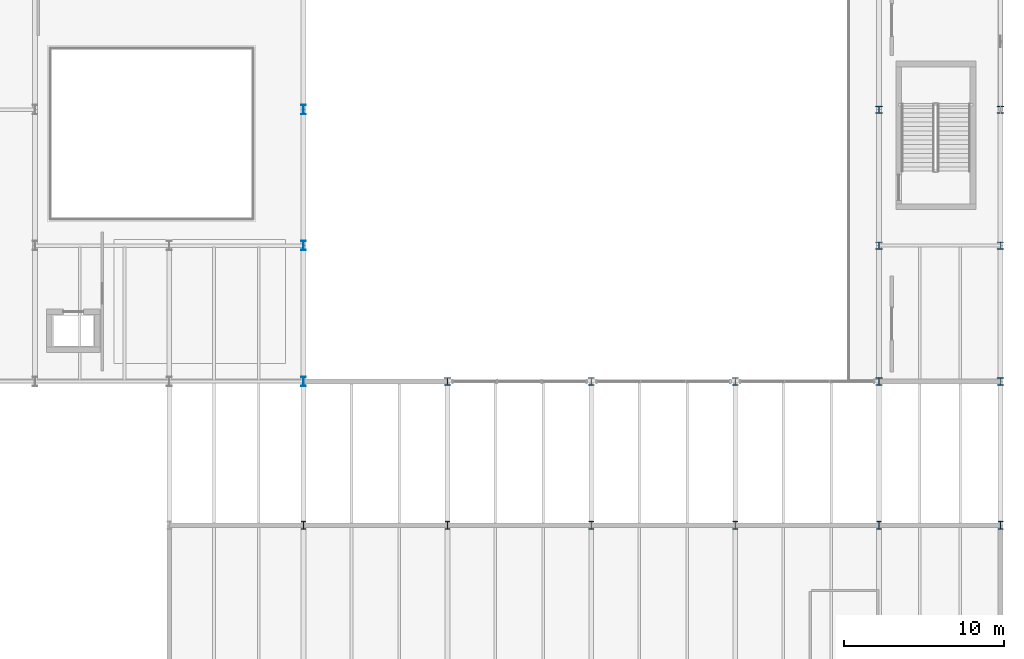
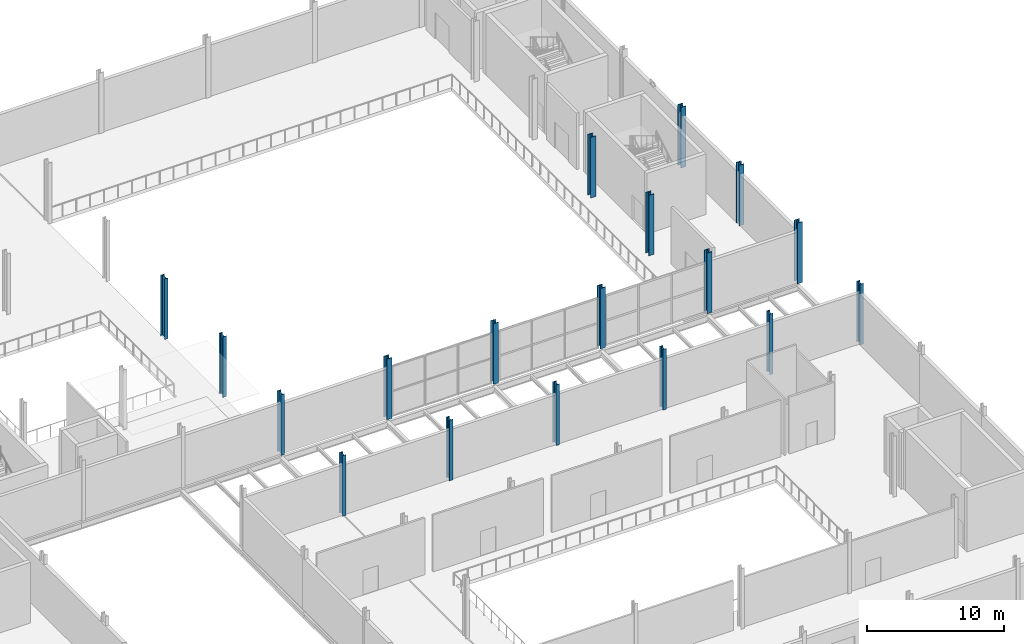
# One storey, part 14 of 78: 18 columns.
"""IFC4 building model written with IfcOpenShell, lengths in metres."""

from ifc_helpers import new_model, si_unit, direction, frame, origin, origin_2d, place, context, subcontext, project, spatial, i_section, extrude, material, material_profile, profile_set, type_object, element, save


model = new_model("IFC4")

# Units and contexts
model_context = context("Model", 3, precision=1e-05, world=origin(), true_north=direction((0.0, 1.0)))
body_context = subcontext(model_context, "Body", "Model", "MODEL_VIEW")
ifc_project = project(units=[si_unit("LENGTHUNIT", "METRE"), si_unit("AREAUNIT", "SQUARE_METRE"), si_unit("VOLUMEUNIT", "CUBIC_METRE"), si_unit("PLANEANGLEUNIT", "RADIAN"), si_unit("MASSUNIT", "GRAM", prefix="KILO")], contexts=[model_context])

# Site, building, storey
site_placement = place(None, origin())
site = spatial("IfcSite", under=ifc_project, at=site_placement, CompositionType="ELEMENT")
building_placement = place(site_placement, origin())
building = spatial("IfcBuilding", under=site, at=building_placement, Name="Sefraquen Railside Congress Hotel", CompositionType="ELEMENT")
storey_placement = place(building_placement, frame((0.0, 0.0, 6.0)))
storey = spatial("IfcBuildingStorey", under=building, at=storey_placement, Name="L01", CompositionType="ELEMENT", Elevation=6.0)

# Columns
ifc_material_1 = material(Name="Steel S355J2", Category="steel")
ifc_material_profile_1 = material_profile(ifc_material_1, i_section(OverallWidth=0.424072265625, OverallDepth=0.47412109375, WebThickness=0.044921875, FlangeThickness=0.054931640625, FilletRadius=0.014892578125, at=origin_2d()), Name="HD 400x634")
ifc_profile_set_1 = profile_set([ifc_material_profile_1], Name="Steel S355J2")
column_type_1 = type_object("IfcColumnType", Name="TC-HD-634", PredefinedType="COLUMN", material=ifc_profile_set_1)
for number, where, z_axis, x_axis, name in (
    (1, (164.39990234375, 54.0, 0.0), (0.0, 0.0, 1.0), (1.0, 0.0, 0.0), "Structural column 21-G L01"),
    (2, (164.39990234375, 62.5, 0.0), (0.0, 0.0, 1.0), (1.0, 0.0, 0.0), "Structural column 21-H L01"),
    (3, (164.39990234375, 71.0, 0.0), (0.0, 0.0, 1.0), (1.0, 0.0, 0.0), "Structural column 21-J L01"),
    (4, (172.0, 54.0, 0.0), (0.0, 0.0, 1.0), (1.0, 0.0, 0.0), "Structural column 22-G L01"),
    (5, (172.0, 62.5, 0.0), (0.0, 0.0, 1.0), (1.0, 0.0, 0.0), "Structural column 22-H L01"),
    (6, (172.0, 71.0, 0.0), (0.0, 0.0, 1.0), (1.0, 0.0, 0.0), "Structural column 22-J L01"),
    (7, (137.39990234375, 54.0, 0.0), (0.0, 0.0, 1.0), (1.0, 0.0, 0.0), "Structural column 18-G L01"),
    (8, (146.39990234375, 54.0, 0.0), (0.0, 0.0, 1.0), (1.0, 0.0, 0.0), "Structural column 19-G L01"),
    (9, (155.39990234375, 54.0, 0.0), (0.0, 0.0, 1.0), (1.0, 0.0, 0.0), "Structural column 20-G L01"),
):
    element("IfcColumn", number, at=place(storey_placement, frame(where, z_axis=z_axis, x_axis=x_axis)), inside=storey, type_object=column_type_1, Name=name, PredefinedType="COLUMN", context=body_context, shape_type="SweptSolid", body=[
        extrude(i_section(OverallWidth=0.424072265625, OverallDepth=0.47412109375, WebThickness=0.044921875, FlangeThickness=0.054931640625, FilletRadius=0.014892578125, at=origin_2d()), origin(), (0.0, 0.0, 1.0), 5.39990234375),
    ])
ifc_material_2 = material(Name="Steel S355JR", Category="steel")
ifc_material_profile_2 = material_profile(ifc_material_2, i_section(OverallWidth=0.300048828125, OverallDepth=0.5, WebThickness=0.014404296875, FlangeThickness=0.028076171875, FilletRadius=0.027099609375, at=origin_2d()), Name="HEB 500")
ifc_profile_set_2 = profile_set([ifc_material_profile_2], Name="Steel S355JR")
column_type_2 = type_object("IfcColumnType", Name="TC-HEB-500", PredefinedType="COLUMN", material=ifc_profile_set_2)
for number, where, z_axis, x_axis, name in (
    (10, (128.39990234375, 45.0, 0.0), (0.0, 0.0, 1.0), (1.0, 0.0, 0.0), "Structural column 17-F L01"),
    (11, (137.39990234375, 45.0, 0.0), (0.0, 0.0, 1.0), (1.0, 0.0, 0.0), "Structural column 18-F L01"),
    (12, (146.39990234375, 45.0, 0.0), (0.0, 0.0, 1.0), (1.0, 0.0, 0.0), "Structural column 19-F L01"),
    (13, (155.39990234375, 45.0, 0.0), (0.0, 0.0, 1.0), (1.0, 0.0, 0.0), "Structural column 20-F L01"),
    (14, (164.39990234375, 45.0, 0.0), (0.0, 0.0, 1.0), (1.0, 0.0, 0.0), "Structural column 21-F L01"),
    (15, (172.0, 45.0, 0.0), (0.0, 0.0, 1.0), (1.0, 0.0, 0.0), "Structural column 22-F L01"),
):
    element("IfcColumn", number, at=place(storey_placement, frame(where, z_axis=z_axis, x_axis=x_axis)), inside=storey, type_object=column_type_2, Name=name, PredefinedType="COLUMN", context=body_context, shape_type="SweptSolid", body=[
        extrude(i_section(OverallWidth=0.300048828125, OverallDepth=0.5, WebThickness=0.014404296875, FlangeThickness=0.028076171875, FilletRadius=0.027099609375, at=origin_2d()), origin(), (0.0, 0.0, 1.0), 5.39990234375),
    ])
ifc_material_profile_3 = material_profile(ifc_material_2, i_section(OverallWidth=0.300048828125, OverallDepth=0.60009765625, WebThickness=0.015380859375, FlangeThickness=0.030029296875, FilletRadius=0.027099609375, at=origin_2d()), Name="HEB 600")
ifc_profile_set_3 = profile_set([ifc_material_profile_3], Name="Steel S355JR")
column_type_3 = type_object("IfcColumnType", Name="TC-HEB-600", PredefinedType="COLUMN", material=ifc_profile_set_3)
for number, where, z_axis, x_axis, name in (
    (16, (128.39990234375, 54.0, 0.0), (0.0, 0.0, 1.0), (1.0, 0.0, 0.0), "Structural column 17-G L01"),
    (17, (128.39990234375, 62.5, 0.0), (0.0, 0.0, 1.0), (1.0, 0.0, 0.0), "Structural column 17-H L01"),
    (18, (128.39990234375, 71.0, 0.0), (0.0, 0.0, 1.0), (1.0, 0.0, 0.0), "Structural column 17-J L01"),
):
    element("IfcColumn", number, at=place(storey_placement, frame(where, z_axis=z_axis, x_axis=x_axis)), inside=storey, type_object=column_type_3, Name=name, PredefinedType="COLUMN", context=body_context, shape_type="SweptSolid", body=[
        extrude(i_section(OverallWidth=0.300048828125, OverallDepth=0.60009765625, WebThickness=0.015380859375, FlangeThickness=0.030029296875, FilletRadius=0.027099609375, at=origin_2d()), origin(), (0.0, 0.0, 1.0), 5.39990234375),
    ])

save(model, "model.ifc")
